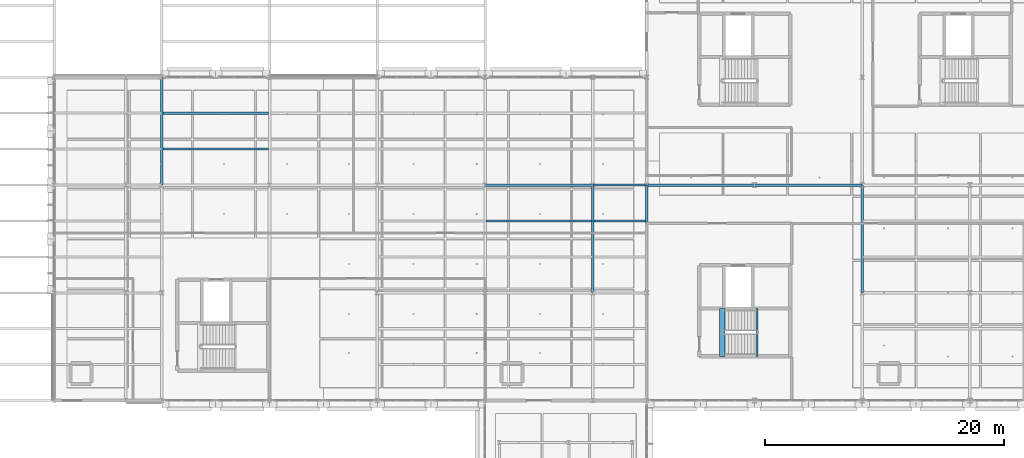
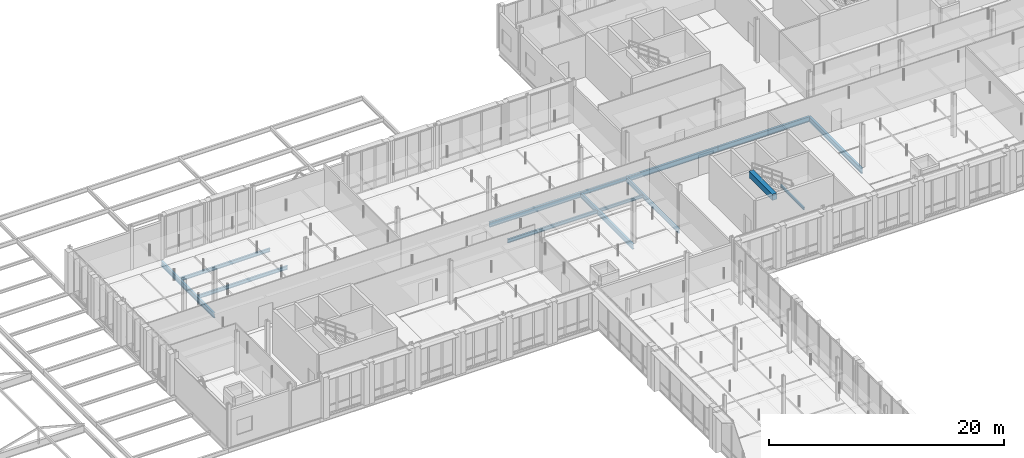
# One storey, part 55 of 140: 14 beams.
"""IFC4 building model written with IfcOpenShell, lengths in metres."""

from ifc_helpers import new_model, si_unit, direction, frame, origin, origin_2d, place, context, subcontext, project, spatial, rectangle, i_section, extrude, material, material_profile, profile_set, type_object, element, save


model = new_model("IFC4")

# Units and contexts
model_context = context("Model", 3, precision=1e-05, world=origin(), true_north=direction((0.0, 1.0)))
body_context = subcontext(model_context, "Body", "Model", "MODEL_VIEW")
ifc_project = project(units=[si_unit("LENGTHUNIT", "METRE"), si_unit("AREAUNIT", "SQUARE_METRE"), si_unit("VOLUMEUNIT", "CUBIC_METRE"), si_unit("PLANEANGLEUNIT", "RADIAN"), si_unit("MASSUNIT", "GRAM", prefix="KILO"), si_unit("THERMODYNAMICTEMPERATUREUNIT", "KELVIN"), si_unit("POWERUNIT", "WATT")], contexts=[model_context])

# Site, building, storey
site_placement = place(None, origin())
site = spatial("IfcSite", under=ifc_project, at=site_placement, CompositionType="ELEMENT")
building_placement = place(site_placement, origin())
building = spatial("IfcBuilding", under=site, at=building_placement, Name="Tallowbark Science Centre", CompositionType="ELEMENT")
storey_placement = place(building_placement, frame((0.0, 0.0, 9.89990234375)))
storey = spatial("IfcBuildingStorey", under=building, at=storey_placement, Name="L02", CompositionType="ELEMENT", Elevation=9.89990234375)

# Beams
ifc_material_1 = material(Name="Concrete Grade N40 (40 MPa)", Category="concrete")
ifc_material_profile_1 = material_profile(ifc_material_1, rectangle(XDim=0.449951171875, YDim=0.64990234375, at=origin_2d()), Name="RC450x650")
ifc_profile_set_1 = profile_set([ifc_material_profile_1], Name="Concrete Grade N40 (40 MPa)")
beam_type_1 = type_object("IfcBeamType", Name="BM-GB2-N40", PredefinedType="BEAM", material=ifc_profile_set_1)
beam_1_placement = place(storey_placement, frame((118.81005859375, 75.699951171875, 4.175048828125), z_axis=(0.0, 1.0, 0.0), x_axis=(-1.0, 0.0, 0.0)))
element("IfcBeam", 1, at=beam_1_placement, inside=storey, type_object=beam_type_1, Name="Stair ST-02 Landing Nosing Beam L02", PredefinedType="BEAM", context=body_context, shape_type="SweptSolid", body=[
    extrude(rectangle(XDim=0.449951171875, YDim=0.64990234375, at=origin_2d()), origin(), (0.0, 0.0, 1.0), 3.9951171875),
])
ifc_material_2 = material(Name="Structural Steel Grade 300PLUS (300 MPa)", Category="steel")
ifc_material_profile_2 = material_profile(ifc_material_2, i_section(OverallWidth=0.177734375, OverallDepth=0.406494140625, WebThickness=0.0078125, FlangeThickness=0.0126953125, FilletRadius=0.011474609375, at=origin_2d()), Name="410UB59.7")
ifc_profile_set_2 = profile_set([ifc_material_profile_2], Name="Structural Steel Grade 300PLUS (300 MPa)")
beam_type_2 = type_object("IfcBeamType", Name="BM-UB410", PredefinedType="BEAM", material=ifc_profile_set_2)
beam_2_placement = place(storey_placement, frame((108.0, 90.0, -0.383056640625), z_axis=(1.0, 0.0, 0.0), x_axis=(0.0, 1.0, 0.0)))
element("IfcBeam", 2, at=beam_2_placement, inside=storey, type_object=beam_type_2, Name="Primary Girder GRDX-L02-1080-1125-900", PredefinedType="BEAM", context=body_context, shape_type="SweptSolid", body=[
    extrude(i_section(OverallWidth=0.177734375, OverallDepth=0.406494140625, WebThickness=0.0078125, FlangeThickness=0.0126953125, FilletRadius=0.011474609375, at=origin_2d()), origin(), (0.0, 0.0, 1.0), 4.5),
])
ifc_material_profile_3 = material_profile(ifc_material_2, i_section(OverallWidth=0.208984375, OverallDepth=0.532958984375, WebThickness=0.01025390625, FlangeThickness=0.015625, FilletRadius=0.013916015625, at=origin_2d()), Name="530UB92.4")
ifc_profile_set_3 = profile_set([ifc_material_profile_3], Name="Structural Steel Grade 300PLUS (300 MPa)")
beam_type_3 = type_object("IfcBeamType", Name="BM-UB530A", PredefinedType="BEAM", material=ifc_profile_set_3)
for number, where, z_axis, x_axis, name in (
    (3, (99.0, 90.0, -0.4462890625), (1.0, 0.0, 0.0), (0.0, 1.0, 0.0), "Primary Girder GRDX-L02-990-1080-900"),
    (4, (112.5, 90.0, -0.4462890625), (1.0, 0.0, 0.0), (0.0, 1.0, 0.0), "Primary Girder GRDX-L02-1125-1215-900"),
    (5, (121.5, 90.0, -0.4462890625), (1.0, 0.0, 0.0), (0.0, 1.0, 0.0), "Primary Girder GRDX-L02-1215-1305-900"),
):
    element("IfcBeam", number, at=place(storey_placement, frame(where, z_axis=z_axis, x_axis=x_axis)), inside=storey, type_object=beam_type_3, Name=name, PredefinedType="BEAM", context=body_context, shape_type="SweptSolid", body=[
        extrude(i_section(OverallWidth=0.208984375, OverallDepth=0.532958984375, WebThickness=0.01025390625, FlangeThickness=0.015625, FilletRadius=0.013916015625, at=origin_2d()), origin(), (0.0, 0.0, 1.0), 9.0),
    ])
ifc_material_profile_4 = material_profile(ifc_material_2, i_section(OverallWidth=0.208740234375, OverallDepth=0.5283203125, WebThickness=0.009521484375, FlangeThickness=0.01318359375, FilletRadius=0.013916015625, at=origin_2d()), Name="530UB82.0")
ifc_profile_set_4 = profile_set([ifc_material_profile_4], Name="Structural Steel Grade 300PLUS (300 MPa)")
beam_type_4 = type_object("IfcBeamType", Name="BM-UB530B", PredefinedType="BEAM", material=ifc_profile_set_4)
for number, where, z_axis, x_axis, name in (
    (6, (72.0, 90.0, -0.444091796875), (0.0, 1.0, 0.0), (-1.0, 0.0, 0.0), "Primary Girder GRDY-L02-720-900-990"),
    (7, (108.0, 81.0, -0.444091796875), (0.0, 1.0, 0.0), (-1.0, 0.0, 0.0), "Primary Girder GRDY-L02-1080-810-900"),
    (8, (130.5, 81.0, -0.444091796875), (0.0, 1.0, 0.0), (-1.0, 0.0, 0.0), "Primary Girder GRDY-L02-1305-810-900"),
):
    element("IfcBeam", number, at=place(storey_placement, frame(where, z_axis=z_axis, x_axis=x_axis)), inside=storey, type_object=beam_type_4, Name=name, PredefinedType="BEAM", context=body_context, shape_type="SweptSolid", body=[
        extrude(i_section(OverallWidth=0.208740234375, OverallDepth=0.5283203125, WebThickness=0.009521484375, FlangeThickness=0.01318359375, FilletRadius=0.013916015625, at=origin_2d()), origin(), (0.0, 0.0, 1.0), 9.0),
    ])
ifc_material_profile_5 = material_profile(ifc_material_2, i_section(OverallWidth=0.146484375, OverallDepth=0.256103515625, WebThickness=0.00634765625, FlangeThickness=0.010986328125, FilletRadius=0.0087890625, at=origin_2d()), Name="250UB37.3")
ifc_profile_set_5 = profile_set([ifc_material_profile_5], Name="Structural Steel Grade 300PLUS (300 MPa)")
beam_type_5 = type_object("IfcBeamType", Name="JST-UB250", PredefinedType="JOIST", material=ifc_profile_set_5)
beam_3_placement = place(storey_placement, frame((121.72509765625, 75.699951171875, 1.922119140625), z_axis=(0.0, 1.0, 0.0), x_axis=(-1.0, 0.0, 0.0)))
element("IfcBeam", 9, at=beam_3_placement, inside=storey, type_object=beam_type_5, Name="Stair ST-02 Half-Landing Trimmer L02", PredefinedType="JOIST", context=body_context, shape_type="SweptSolid", body=[
    extrude(i_section(OverallWidth=0.146484375, OverallDepth=0.256103515625, WebThickness=0.00634765625, FlangeThickness=0.010986328125, FilletRadius=0.0087890625, at=origin_2d()), origin(), (0.0, 0.0, 1.0), 3.9951171875),
])
ifc_material_profile_6 = material_profile(ifc_material_2, i_section(OverallWidth=0.166015625, OverallDepth=0.30712890625, WebThickness=0.006591796875, FlangeThickness=0.01171875, FilletRadius=0.011474609375, at=origin_2d()), Name="310UB46.2")
ifc_profile_set_6 = profile_set([ifc_material_profile_6], Name="Structural Steel Grade 300PLUS (300 MPa)")
beam_type_6 = type_object("IfcBeamType", Name="JST-UB310", PredefinedType="JOIST", material=ifc_profile_set_6)
beam_4_placement = place(storey_placement, frame((108.0849609375, 87.0, -0.33349609375), z_axis=(1.0, 0.0, 0.0), x_axis=(0.0, 1.0, 0.0)))
element("IfcBeam", 10, at=beam_4_placement, inside=storey, type_object=beam_type_6, Name="Composite Floor Joist JSTX-L02-1080-870", PredefinedType="JOIST", context=body_context, shape_type="SweptSolid", body=[
    extrude(i_section(OverallWidth=0.166015625, OverallDepth=0.30712890625, WebThickness=0.006591796875, FlangeThickness=0.01171875, FilletRadius=0.011474609375, at=origin_2d()), origin(), (0.0, 0.0, 1.0), 4.330078125),
])
ifc_material_profile_7 = material_profile(ifc_material_2, i_section(OverallWidth=0.172119140625, OverallDepth=0.358642578125, WebThickness=0.008056640625, FlangeThickness=0.012939453125, FilletRadius=0.011474609375, at=origin_2d()), Name="360UB56.7")
ifc_profile_set_7 = profile_set([ifc_material_profile_7], Name="Structural Steel Grade 300PLUS (300 MPa)")
beam_type_7 = type_object("IfcBeamType", Name="JST-UB360", PredefinedType="JOIST", material=ifc_profile_set_7)
for number, where, z_axis, x_axis, name in (
    (11, (99.0849609375, 87.0, -0.359130859375), (1.0, 0.0, 0.0), (0.0, 1.0, 0.0), "Composite Floor Joist JSTX-L02-990-870"),
    (12, (72.0849609375, 93.0, -0.359130859375), (1.0, 0.0, 0.0), (0.0, 1.0, 0.0), "Composite Floor Joist JSTX-L02-720-930"),
    (13, (72.0849609375, 96.0, -0.359130859375), (1.0, 0.0, 0.0), (0.0, 1.0, 0.0), "Composite Floor Joist JSTX-L02-720-960"),
):
    element("IfcBeam", number, at=place(storey_placement, frame(where, z_axis=z_axis, x_axis=x_axis)), inside=storey, type_object=beam_type_7, Name=name, PredefinedType="JOIST", context=body_context, shape_type="SweptSolid", body=[
        extrude(i_section(OverallWidth=0.172119140625, OverallDepth=0.358642578125, WebThickness=0.008056640625, FlangeThickness=0.012939453125, FilletRadius=0.011474609375, at=origin_2d()), origin(), (0.0, 0.0, 1.0), 8.830078125),
    ])
ifc_material_profile_8 = material_profile(ifc_material_2, i_section(OverallWidth=0.18994140625, OverallDepth=0.453857421875, WebThickness=0.008544921875, FlangeThickness=0.0126953125, FilletRadius=0.011474609375, at=origin_2d()), Name="460UB67.1")
ifc_profile_set_8 = profile_set([ifc_material_profile_8], Name="Structural Steel Grade 300PLUS (300 MPa)")
beam_type_8 = type_object("IfcBeamType", Name="SPN-UB460", PredefinedType="SPANDREL", material=ifc_profile_set_8)
beam_5_placement = place(storey_placement, frame((112.5, 81.0, -0.40673828125), z_axis=(0.0, 1.0, 0.0), x_axis=(-1.0, 0.0, 0.0)))
element("IfcBeam", 14, at=beam_5_placement, inside=storey, type_object=beam_type_8, Name="Primary Girder GRDY-L02-1125-810-900", PredefinedType="SPANDREL", context=body_context, shape_type="SweptSolid", body=[
    extrude(i_section(OverallWidth=0.18994140625, OverallDepth=0.453857421875, WebThickness=0.008544921875, FlangeThickness=0.0126953125, FilletRadius=0.011474609375, at=origin_2d()), origin(), (0.0, 0.0, 1.0), 9.0),
])

save(model, "model.ifc")
